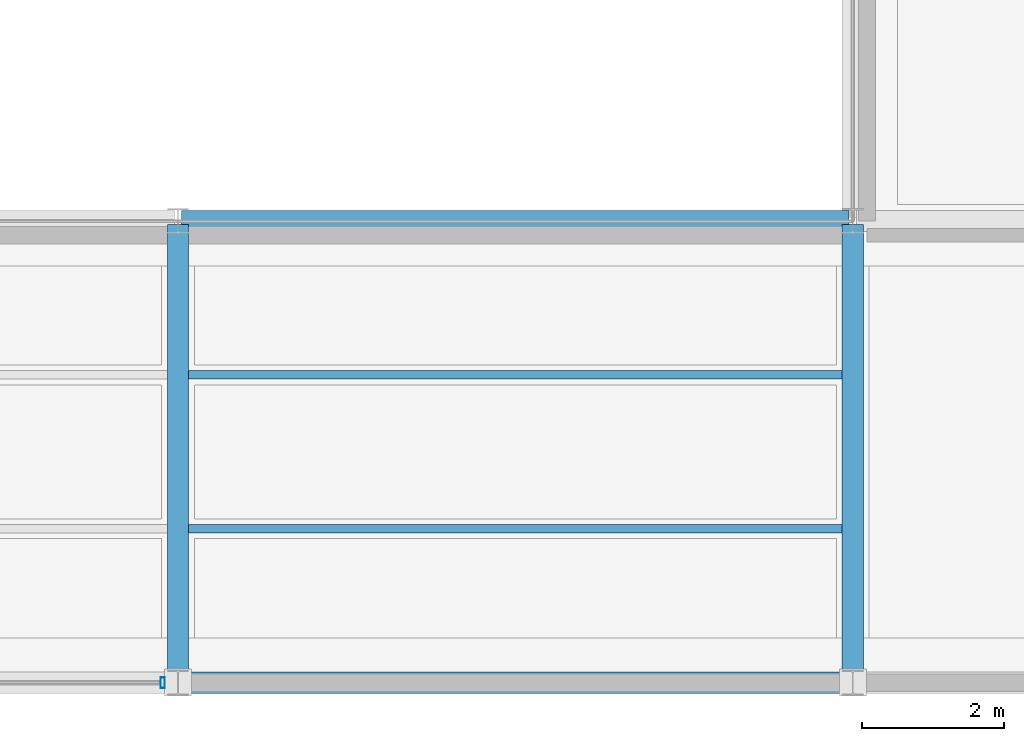
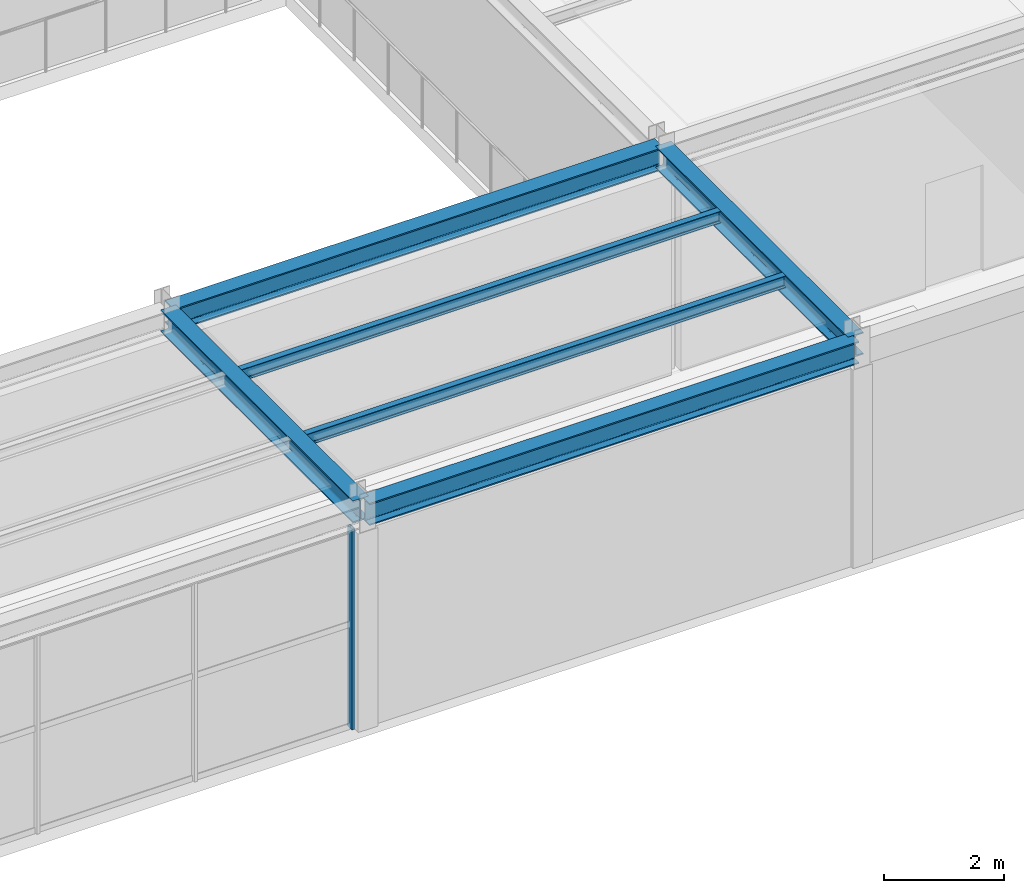
# One storey, part 16 of 100: 6 beams, 1 member, 1 element without a shape of its own.
"""IFC4 building model written with IfcOpenShell, lengths in metres."""

from ifc_helpers import new_model, si_unit, direction, frame, origin, origin_2d, place, context, subcontext, project, spatial, hollow_rectangle, i_section, extrude, material, material_profile, profile_set, type_object, element, aggregate, save


model = new_model("IFC4")

# Units and contexts
model_context = context("Model", 3, precision=1e-05, world=origin(), true_north=direction((0.0, 1.0)))
body_context = subcontext(model_context, "Body", "Model", "MODEL_VIEW")
ifc_project = project(units=[si_unit("LENGTHUNIT", "METRE"), si_unit("AREAUNIT", "SQUARE_METRE"), si_unit("VOLUMEUNIT", "CUBIC_METRE"), si_unit("PLANEANGLEUNIT", "RADIAN"), si_unit("MASSUNIT", "GRAM", prefix="KILO")], contexts=[model_context])

# Site, building, storey
site_placement = place(None, origin())
site = spatial("IfcSite", under=ifc_project, at=site_placement, CompositionType="ELEMENT")
building_placement = place(site_placement, origin())
building = spatial("IfcBuilding", under=site, at=building_placement, Name="Tarnveldt Headland Concert Hall", CompositionType="ELEMENT")
storey_placement = place(building_placement, frame((0.0, 0.0, 4.800048828125)))
storey = spatial("IfcBuildingStorey", under=building, at=storey_placement, Name="L01", CompositionType="ELEMENT", Elevation=4.800048828125)

# Curtain wall, member
ifc_material_1 = material(Name="Marine-anodised aluminium EN AW-6063-T6", Category="aluminium")
curtain_wall_type = type_object("IfcCurtainWallType", Name="CW-L2", PredefinedType="NOTDEFINED", material=ifc_material_1)
curtain_wall_placement = place(storey_placement, origin())
curtain_wall = element("IfcCurtainWall", 1, at=curtain_wall_placement, inside=storey, type_object=curtain_wall_type, Name="Curtain wall CW-L01-166", PredefinedType="NOTDEFINED")
ifc_material_profile_1 = material_profile(ifc_material_1, hollow_rectangle(XDim=0.06005859375, YDim=0.14990234375, WallThickness=0.00390625, at=origin_2d()), Name="ALU MULLION 60x150x4", Category="aluminium")
ifc_profile_set_1 = profile_set([ifc_material_profile_1], Name="Marine-anodised aluminium EN AW-6063-T6")
member_type = type_object("IfcMemberType", Name="ML-150", PredefinedType="MULLION", material=ifc_profile_set_1)
member_placement = place(storey_placement, frame((23.784912109375, 5.0, 0.0), z_axis=(0.0, 0.0, 1.0), x_axis=(1.0, 0.0, 0.0)))
member = element("IfcMember", 2, at=member_placement, type_object=member_type, Name="Mullion CW-L01-166-4", PredefinedType="MULLION", context=body_context, shape_type="SweptSolid", body=[
    extrude(hollow_rectangle(XDim=0.06005859375, YDim=0.14990234375, WallThickness=0.00390625, at=origin_2d()), origin(), (0.0, 0.0, 1.0), 4.077880859375),
])
aggregate(curtain_wall, [member])

# Beams
ifc_material_2 = material(Name="Steel S355", Category="steel")
ifc_material_profile_2 = material_profile(ifc_material_2, i_section(OverallWidth=0.300048828125, OverallDepth=0.449951171875, WebThickness=0.013916015625, FlangeThickness=0.02587890625, FilletRadius=0.027099609375, at=origin_2d()), Name="HEB450", Category="steel")
ifc_profile_set_2 = profile_set([ifc_material_profile_2], Name="Steel S355")
beam_type_1 = type_object("IfcBeamType", Name="SB-HEB450", PredefinedType="BEAM", material=ifc_profile_set_2)
for number, where, z_axis, x_axis, name in (
    (3, (24.050048828125, 5.0, 4.31494140625), (1.0, 0.0, 0.0), (0.0, 1.0, 0.0), "Framing beam L01-865"),
    (4, (24.050048828125, 11.5, 4.31494140625), (1.0, 0.0, 0.0), (0.0, 1.0, 0.0), "Framing beam L01-870"),
):
    element("IfcBeam", number, at=place(storey_placement, frame(where, z_axis=z_axis, x_axis=x_axis)), inside=storey, type_object=beam_type_1, Name=name, PredefinedType="BEAM", context=body_context, shape_type="SweptSolid", body=[
        extrude(i_section(OverallWidth=0.300048828125, OverallDepth=0.449951171875, WebThickness=0.013916015625, FlangeThickness=0.02587890625, FilletRadius=0.027099609375, at=origin_2d()), origin(), (0.0, 0.0, 1.0), 9.39990234375),
    ])
for number, where, z_axis, x_axis, name in (
    (5, (24.0, 5.050048828125, 4.31494140625), (0.0, 1.0, 0.0), (-1.0, 0.0, 0.0), "Framing beam L01-896"),
    (6, (33.5, 5.050048828125, 4.31494140625), (0.0, 1.0, 0.0), (-1.0, 0.0, 0.0), "Framing beam L01-902"),
):
    element("IfcBeam", number, at=place(storey_placement, frame(where, z_axis=z_axis, x_axis=x_axis)), inside=storey, type_object=beam_type_1, Name=name, PredefinedType="BEAM", context=body_context, shape_type="SweptSolid", body=[
        extrude(i_section(OverallWidth=0.300048828125, OverallDepth=0.449951171875, WebThickness=0.013916015625, FlangeThickness=0.02587890625, FilletRadius=0.027099609375, at=origin_2d()), origin(), (0.0, 0.0, 1.0), 6.39990234375),
    ])
ifc_material_profile_3 = material_profile(ifc_material_2, i_section(OverallWidth=0.1201171875, OverallDepth=0.239990234375, WebThickness=0.006103515625, FlangeThickness=0.009765625, FilletRadius=0.014892578125, at=origin_2d()), Name="IPE240", Category="steel")
ifc_profile_set_3 = profile_set([ifc_material_profile_3], Name="Steel S355")
beam_type_2 = type_object("IfcBeamType", Name="SB-IPE240", PredefinedType="JOIST", material=ifc_profile_set_3)
for number, where, z_axis, x_axis, name in (
    (7, (24.14990234375, 7.1669921875, 4.419921875), (1.0, 0.0, 0.0), (0.0, 1.0, 0.0), "Framing beam L01-897"),
    (8, (24.14990234375, 9.3330078125, 4.419921875), (1.0, 0.0, 0.0), (0.0, 1.0, 0.0), "Framing beam L01-898"),
):
    element("IfcBeam", number, at=place(storey_placement, frame(where, z_axis=z_axis, x_axis=x_axis)), inside=storey, type_object=beam_type_2, Name=name, PredefinedType="JOIST", context=body_context, shape_type="SweptSolid", body=[
        extrude(i_section(OverallWidth=0.1201171875, OverallDepth=0.239990234375, WebThickness=0.006103515625, FlangeThickness=0.009765625, FilletRadius=0.014892578125, at=origin_2d()), origin(), (0.0, 0.0, 1.0), 9.2001953125),
    ])

save(model, "model.ifc")
